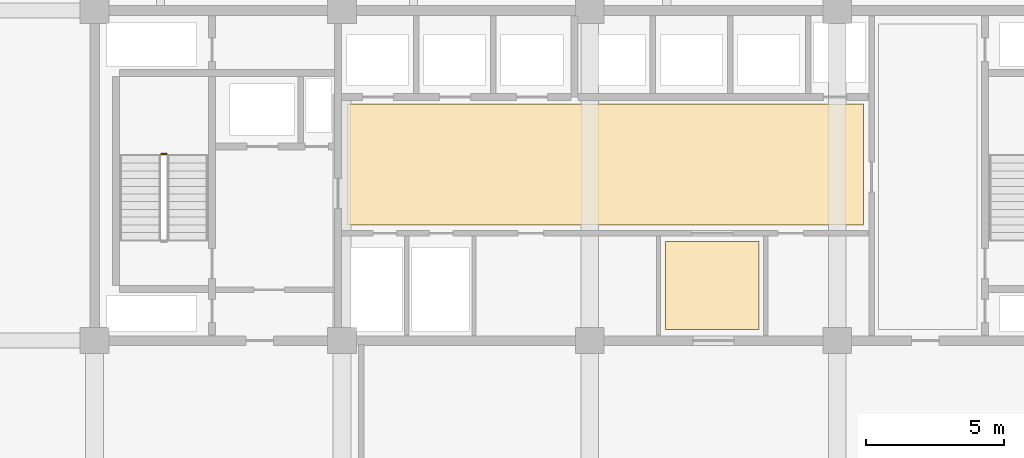
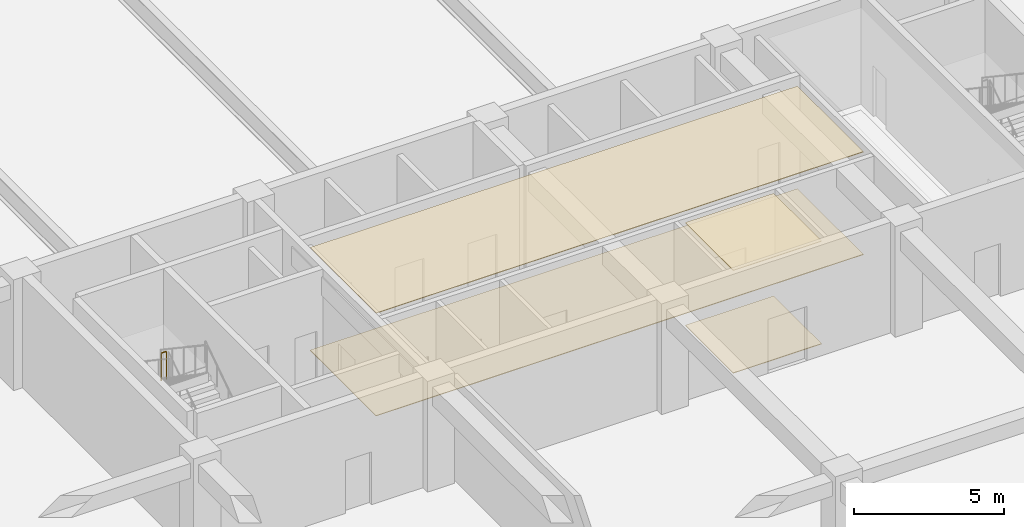
# One storey, part 34 of 43: 4 coverings, 1 railing.
"""IFC4 building model written with IfcOpenShell, lengths in metres."""

from ifc_helpers import new_model, si_unit, direction, frame, origin, origin_2d, place, context, subcontext, project, spatial, polyline, circle, outline, extrude, material, layer, layer_set, type_object, element, save


model = new_model("IFC4")

# Units and contexts
model_context = context("Model", 3, precision=1e-05, world=origin(), true_north=direction((0.0, 1.0)))
body_context = subcontext(model_context, "Body", "Model", "MODEL_VIEW")
ifc_project = project(units=[si_unit("LENGTHUNIT", "METRE"), si_unit("AREAUNIT", "SQUARE_METRE"), si_unit("VOLUMEUNIT", "CUBIC_METRE"), si_unit("PLANEANGLEUNIT", "RADIAN"), si_unit("MASSUNIT", "GRAM", prefix="KILO")], contexts=[model_context])

# Site, building, storey
site_placement = place(None, origin())
site = spatial("IfcSite", under=ifc_project, at=site_placement, CompositionType="ELEMENT")
building_placement = place(site_placement, origin())
building = spatial("IfcBuilding", under=site, at=building_placement, Name="Korimba Cascade Residences", CompositionType="ELEMENT")
storey_placement = place(building_placement, frame((0.0, 0.0, 10.0)))
storey = spatial("IfcBuildingStorey", under=building, at=storey_placement, Name="L02", CompositionType="ELEMENT", Elevation=10.0)

# Coverings
ifc_material_1 = material(Name="Perforated Acoustic Gypsum Ceiling", Category="gypsum")
ifc_layer_1 = layer(ifc_material_1, 0.02490234375)
ifc_layer_set_1 = layer_set([ifc_layer_1], Name="Perforated Acoustic Gypsum Ceiling")
covering_type_1 = type_object("IfcCoveringType", Name="COV-CLG-AC", PredefinedType="CEILING", material=ifc_layer_set_1)
covering_1_placement = place(storey_placement, frame((0.0, 0.0, 4.175048828125)))
element("IfcCovering", 1, at=covering_1_placement, inside=storey, type_object=covering_type_1, Name="L02 Suspended Acoustic Ceiling L02-LL2", PredefinedType="CEILING", context=body_context, shape_type="SweptSolid", body=[
    extrude(outline(polyline([(91.300048828125, 22.60009765625), (110.050048828125, 22.60009765625), (110.050048828125, 27.0), (91.300048828125, 27.0), (91.300048828125, 22.60009765625)])), origin(), (0.0, 0.0, 1.0), 0.02490234375),
])
covering_2_placement = place(storey_placement, frame((0.0, 0.0, 4.175048828125)))
element("IfcCovering", 2, at=covering_2_placement, inside=storey, type_object=covering_type_1, Name="L02 Suspended Acoustic Ceiling L02-LT2", PredefinedType="CEILING", context=body_context, shape_type="SweptSolid", body=[
    extrude(outline(polyline([(102.85009765625, 18.800048828125), (106.25, 18.800048828125), (106.25, 22.0), (102.85009765625, 22.0), (102.85009765625, 18.800048828125)])), origin(), (0.0, 0.0, 1.0), 0.02490234375),
])
ifc_material_2 = material(Name="Honed Travertine Stone Flooring", Category="masonry")
ifc_layer_2 = layer(ifc_material_2, 0.02490234375)
ifc_layer_set_2 = layer_set([ifc_layer_2], Name="Honed Travertine Stone Flooring")
covering_type_2 = type_object("IfcCoveringType", Name="COV-FLR-STN", PredefinedType="FLOORING", material=ifc_layer_set_2)
covering_3_placement = place(storey_placement, origin())
element("IfcCovering", 3, at=covering_3_placement, inside=storey, type_object=covering_type_2, Name="L02 Honed Travertine Stone Flooring L02-LL2", PredefinedType="FLOORING", context=body_context, shape_type="SweptSolid", body=[
    extrude(outline(polyline([(91.300048828125, 22.60009765625), (110.050048828125, 22.60009765625), (110.050048828125, 27.0), (91.300048828125, 27.0), (91.300048828125, 22.60009765625)])), origin(), (0.0, 0.0, 1.0), 0.02490234375),
])
covering_4_placement = place(storey_placement, origin())
element("IfcCovering", 4, at=covering_4_placement, inside=storey, type_object=covering_type_2, Name="L02 Honed Travertine Stone Flooring L02-LT2", PredefinedType="FLOORING", context=body_context, shape_type="SweptSolid", body=[
    extrude(outline(polyline([(102.85009765625, 18.800048828125), (106.25, 18.800048828125), (106.25, 22.0), (102.85009765625, 22.0), (102.85009765625, 18.800048828125)])), origin(), (0.0, 0.0, 1.0), 0.02490234375),
])

# Railing
ifc_material_3 = material(Name="Painted Steel Stairwell Guardrail", Category="steel")
railing_type = type_object("IfcRailingType", Name="RLG-ST-GD1150", PredefinedType="GUARDRAIL", material=ifc_material_3)
railing_placement = place(storey_placement, frame((84.719970703125, 25.179931640625, 2.25)))
element("IfcRailing", 5, at=railing_placement, inside=storey, type_object=railing_type, Name="L02 ST-E1 stair guard 2", PredefinedType="GUARDRAIL", context=body_context, shape_type="SweptSolid", body=[
    extrude(circle(Radius=0.02392578125, at=origin_2d()), frame((0.0, 0.0, 1.1259765625), z_axis=(-1.0, 0.0, 0.0), x_axis=(0.0, -1.0, 0.0)), (0.0, 0.0, 1.0), 0.199951171875),
    extrude(circle(Radius=0.02099609375, at=origin_2d()), origin(), (0.0, 0.0, 1.0), 1.101806640625),
    extrude(circle(Radius=0.02099609375, at=origin_2d()), frame((-0.199951171875, 0.0, 0.0)), (0.0, 0.0, 1.0), 1.101806640625),
])

save(model, "model.ifc")
